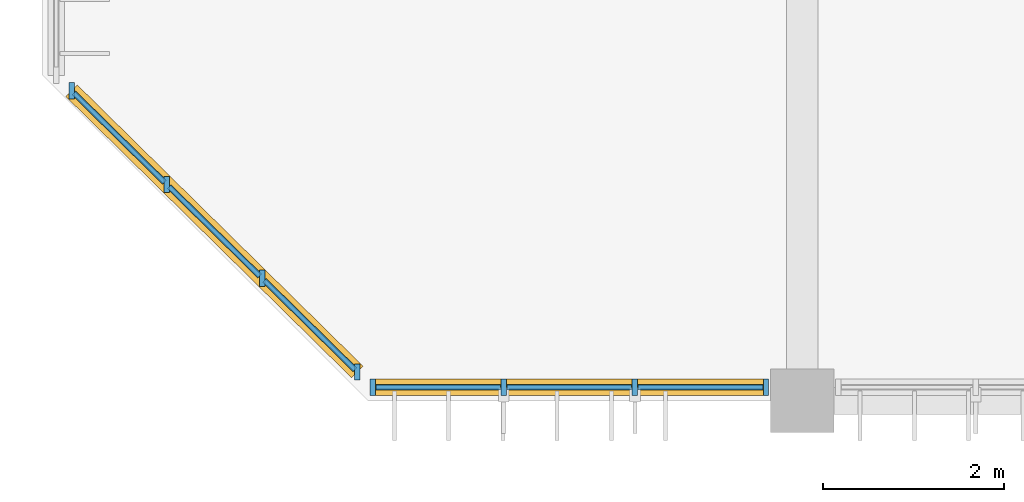
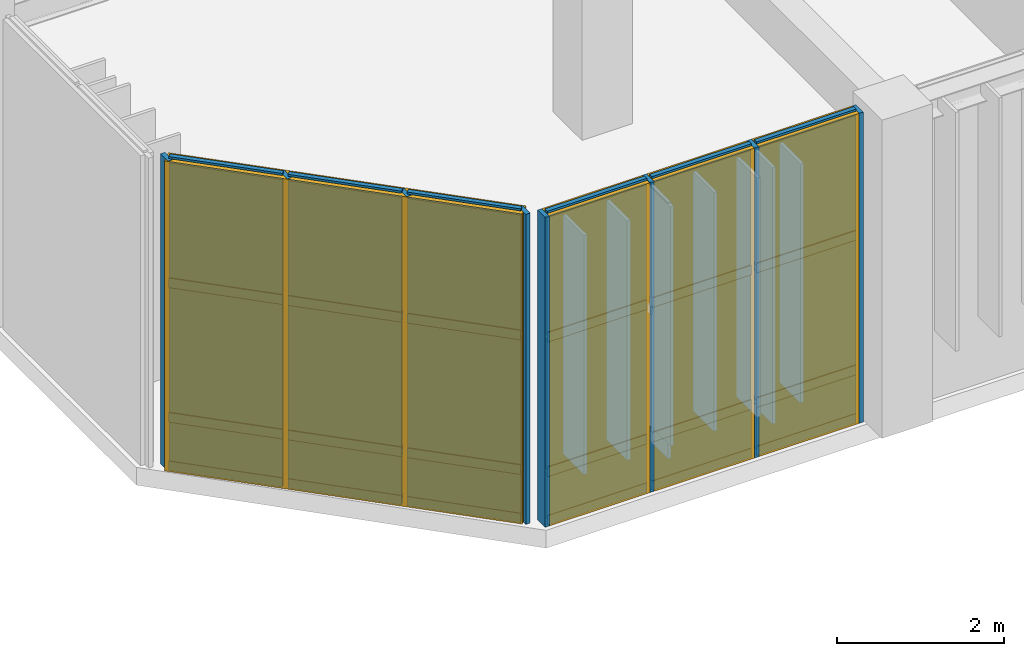
# One storey, part 61 of 122: 32 members, 18 plates, 2 curtain walls.
"""IFC4 building model written with IfcOpenShell, lengths in metres."""

from ifc_helpers import new_model, si_unit, direction, frame, frame_2d, origin, origin_2d, place, context, subcontext, project, spatial, rectangle, extrude, material, layer, layer_set, material_profile, profile_set, type_object, element, aggregate, save


model = new_model("IFC4")

# Units and contexts
model_context = context("Model", 3, precision=1e-05, world=origin(), true_north=direction((0.0, 1.0)))
body_context = subcontext(model_context, "Body", "Model", "MODEL_VIEW")
ifc_project = project(units=[si_unit("LENGTHUNIT", "METRE"), si_unit("AREAUNIT", "SQUARE_METRE"), si_unit("VOLUMEUNIT", "CUBIC_METRE"), si_unit("PLANEANGLEUNIT", "RADIAN"), si_unit("MASSUNIT", "GRAM", prefix="KILO")], contexts=[model_context])

# Member
ifc_material_1 = material(Name="Anodised Bronze Aluminium 6063-T6", Category="aluminium")
ifc_material_profile_1 = material_profile(ifc_material_1, rectangle(XDim=0.06005859375, YDim=0.179931640625, at=origin_2d()), Name="ALU MULLION 60x180")
ifc_profile_set_1 = profile_set([ifc_material_profile_1], Name="Anodised Bronze Aluminium 6063-T6")
member_type_1 = type_object("IfcMemberType", Name="Curtain-Wall Primary Mullion 60x180", PredefinedType="MULLION", material=ifc_profile_set_1)
site_placement = place(None, origin())
building_placement = place(site_placement, origin())
storey_placement = place(building_placement, origin())
member_1_placement = place(storey_placement, frame((6.050048828125, 37.550048828125, 0.0), z_axis=(0.0, 0.0, 1.0), x_axis=(1.0, 0.0, 0.0)))
member_1 = element("IfcMember", 1, at=member_1_placement, type_object=member_type_1, Name="Mullion CWM-01 CW-V6-S-L00-B1-M01", PredefinedType="MULLION", context=body_context, shape_type="SweptSolid", body=[
    extrude(rectangle(XDim=0.06005859375, YDim=0.179931640625, at=origin_2d()), origin(), (0.0, 0.0, 1.0), 4.5400390625),
])

member_2_placement = place(storey_placement, frame((7.5, 37.550048828125, 0.0), z_axis=(0.0, 0.0, 1.0), x_axis=(1.0, 0.0, 0.0)))
member_2 = element("IfcMember", 2, at=member_2_placement, type_object=member_type_1, Name="Mullion CWM-01 CW-V6-S-L00-B1-M02", PredefinedType="MULLION", context=body_context, shape_type="SweptSolid", body=[
    extrude(rectangle(XDim=0.06005859375, YDim=0.179931640625, at=origin_2d()), origin(), (0.0, 0.0, 1.0), 4.5400390625),
])

member_3_placement = place(storey_placement, frame((8.949951171875, 37.550048828125, 0.0), z_axis=(0.0, 0.0, 1.0), x_axis=(1.0, 0.0, 0.0)))
member_3 = element("IfcMember", 3, at=member_3_placement, type_object=member_type_1, Name="Mullion CWM-01 CW-V6-S-L00-B1-M03", PredefinedType="MULLION", context=body_context, shape_type="SweptSolid", body=[
    extrude(rectangle(XDim=0.06005859375, YDim=0.179931640625, at=origin_2d()), origin(), (0.0, 0.0, 1.0), 4.5400390625),
])

member_4_placement = place(storey_placement, frame((10.39990234375, 37.550048828125, 0.0), z_axis=(0.0, 0.0, 1.0), x_axis=(1.0, 0.0, 0.0)))
member_4 = element("IfcMember", 4, at=member_4_placement, type_object=member_type_1, Name="Mullion CWM-01 CW-V6-S-L00-B1-M04", PredefinedType="MULLION", context=body_context, shape_type="SweptSolid", body=[
    extrude(rectangle(XDim=0.06005859375, YDim=0.179931640625, at=origin_2d()), origin(), (0.0, 0.0, 1.0), 4.5400390625),
])

member_5_placement = place(storey_placement, frame((2.719970703125, 40.830078125, 0.0), z_axis=(0.0, 0.0, 1.0), x_axis=(1.0, 0.0, 0.0)))
member_5 = element("IfcMember", 5, at=member_5_placement, type_object=member_type_1, Name="Mullion CWM-01 CW-V6-SWCH-L00-M01", PredefinedType="MULLION", context=body_context, shape_type="SweptSolid", body=[
    extrude(rectangle(XDim=0.06005859375, YDim=0.179931640625, at=origin_2d()), origin(), (0.0, 0.0, 1.0), 4.5400390625),
])

member_6_placement = place(storey_placement, frame((3.773193359375, 39.793212890625, 0.0), z_axis=(0.0, 0.0, 1.0), x_axis=(1.0, 0.0, 0.0)))
member_6 = element("IfcMember", 6, at=member_6_placement, type_object=member_type_1, Name="Mullion CWM-01 CW-V6-SWCH-L00-M02", PredefinedType="MULLION", context=body_context, shape_type="SweptSolid", body=[
    extrude(rectangle(XDim=0.06005859375, YDim=0.179931640625, at=origin_2d()), origin(), (0.0, 0.0, 1.0), 4.5400390625),
])

member_7_placement = place(storey_placement, frame((4.82666015625, 38.756591796875, 0.0), z_axis=(0.0, 0.0, 1.0), x_axis=(1.0, 0.0, 0.0)))
member_7 = element("IfcMember", 7, at=member_7_placement, type_object=member_type_1, Name="Mullion CWM-01 CW-V6-SWCH-L00-M03", PredefinedType="MULLION", context=body_context, shape_type="SweptSolid", body=[
    extrude(rectangle(XDim=0.06005859375, YDim=0.179931640625, at=origin_2d()), origin(), (0.0, 0.0, 1.0), 4.5400390625),
])

member_8_placement = place(storey_placement, frame((5.8798828125, 37.719970703125, 0.0), z_axis=(0.0, 0.0, 1.0), x_axis=(1.0, 0.0, 0.0)))
member_8 = element("IfcMember", 8, at=member_8_placement, type_object=member_type_1, Name="Mullion CWM-01 CW-V6-SWCH-L00-M04", PredefinedType="MULLION", context=body_context, shape_type="SweptSolid", body=[
    extrude(rectangle(XDim=0.06005859375, YDim=0.179931640625, at=origin_2d()), origin(), (0.0, 0.0, 1.0), 4.5400390625),
])

ifc_material_profile_2 = material_profile(ifc_material_1, rectangle(XDim=0.06005859375, YDim=0.139892578125, at=origin_2d()), Name="ALU TRANSOM 60x140")
ifc_profile_set_2 = profile_set([ifc_material_profile_2], Name="Anodised Bronze Aluminium 6063-T6")
member_type_2 = type_object("IfcMemberType", Name="Curtain-Wall Transom 60x140", PredefinedType="USERDEFINED", material=ifc_profile_set_2)
member_9_placement = place(storey_placement, frame((6.0849609375, 37.550048828125, 0.0400390625), z_axis=(1.0, 0.0, 0.0), x_axis=(0.0, 1.0, 0.0)))
member_9 = element("IfcMember", 9, at=member_9_placement, type_object=member_type_2, Name="Transom CWT-01 CW-V6-S-L00-B1-T01.1", ObjectType="TRANSOM", PredefinedType="USERDEFINED", context=body_context, shape_type="SweptSolid", body=[
    extrude(rectangle(XDim=0.06005859375, YDim=0.139892578125, at=origin_2d()), origin(), (0.0, 0.0, 1.0), 1.380126953125),
])

member_10_placement = place(storey_placement, frame((6.0849609375, 37.550048828125, 0.75), z_axis=(1.0, 0.0, 0.0), x_axis=(0.0, 1.0, 0.0)))
member_10 = element("IfcMember", 10, at=member_10_placement, type_object=member_type_2, Name="Transom CWT-01 CW-V6-S-L00-B1-T01.2", ObjectType="TRANSOM", PredefinedType="USERDEFINED", context=body_context, shape_type="SweptSolid", body=[
    extrude(rectangle(XDim=0.06005859375, YDim=0.139892578125, at=origin_2d()), origin(), (0.0, 0.0, 1.0), 1.380126953125),
])

member_11_placement = place(storey_placement, frame((6.0849609375, 37.550048828125, 2.720703125), z_axis=(1.0, 0.0, 0.0), x_axis=(0.0, 1.0, 0.0)))
member_11 = element("IfcMember", 11, at=member_11_placement, type_object=member_type_2, Name="Transom CWT-01 CW-V6-S-L00-B1-T01.3", ObjectType="TRANSOM", PredefinedType="USERDEFINED", context=body_context, shape_type="SweptSolid", body=[
    extrude(rectangle(XDim=0.06005859375, YDim=0.139892578125, at=origin_2d()), origin(), (0.0, 0.0, 1.0), 1.380126953125),
])

member_12_placement = place(storey_placement, frame((6.0849609375, 37.550048828125, 4.5), z_axis=(1.0, 0.0, 0.0), x_axis=(0.0, 1.0, 0.0)))
member_12 = element("IfcMember", 12, at=member_12_placement, type_object=member_type_2, Name="Transom CWT-01 CW-V6-S-L00-B1-T01.4", ObjectType="TRANSOM", PredefinedType="USERDEFINED", context=body_context, shape_type="SweptSolid", body=[
    extrude(rectangle(XDim=0.06005859375, YDim=0.139892578125, at=origin_2d()), origin(), (0.0, 0.0, 1.0), 1.380126953125),
])

member_13_placement = place(storey_placement, frame((7.534912109375, 37.550048828125, 0.0400390625), z_axis=(1.0, 0.0, 0.0), x_axis=(0.0, 1.0, 0.0)))
member_13 = element("IfcMember", 13, at=member_13_placement, type_object=member_type_2, Name="Transom CWT-01 CW-V6-S-L00-B1-T02.1", ObjectType="TRANSOM", PredefinedType="USERDEFINED", context=body_context, shape_type="SweptSolid", body=[
    extrude(rectangle(XDim=0.06005859375, YDim=0.139892578125, at=origin_2d()), origin(), (0.0, 0.0, 1.0), 1.380126953125),
])

member_14_placement = place(storey_placement, frame((7.534912109375, 37.550048828125, 0.75), z_axis=(1.0, 0.0, 0.0), x_axis=(0.0, 1.0, 0.0)))
member_14 = element("IfcMember", 14, at=member_14_placement, type_object=member_type_2, Name="Transom CWT-01 CW-V6-S-L00-B1-T02.2", ObjectType="TRANSOM", PredefinedType="USERDEFINED", context=body_context, shape_type="SweptSolid", body=[
    extrude(rectangle(XDim=0.06005859375, YDim=0.139892578125, at=origin_2d()), origin(), (0.0, 0.0, 1.0), 1.380126953125),
])

member_15_placement = place(storey_placement, frame((7.534912109375, 37.550048828125, 2.720703125), z_axis=(1.0, 0.0, 0.0), x_axis=(0.0, 1.0, 0.0)))
member_15 = element("IfcMember", 15, at=member_15_placement, type_object=member_type_2, Name="Transom CWT-01 CW-V6-S-L00-B1-T02.3", ObjectType="TRANSOM", PredefinedType="USERDEFINED", context=body_context, shape_type="SweptSolid", body=[
    extrude(rectangle(XDim=0.06005859375, YDim=0.139892578125, at=origin_2d()), origin(), (0.0, 0.0, 1.0), 1.380126953125),
])

member_16_placement = place(storey_placement, frame((7.534912109375, 37.550048828125, 4.5), z_axis=(1.0, 0.0, 0.0), x_axis=(0.0, 1.0, 0.0)))
member_16 = element("IfcMember", 16, at=member_16_placement, type_object=member_type_2, Name="Transom CWT-01 CW-V6-S-L00-B1-T02.4", ObjectType="TRANSOM", PredefinedType="USERDEFINED", context=body_context, shape_type="SweptSolid", body=[
    extrude(rectangle(XDim=0.06005859375, YDim=0.139892578125, at=origin_2d()), origin(), (0.0, 0.0, 1.0), 1.380126953125),
])

member_17_placement = place(storey_placement, frame((8.985107421875, 37.550048828125, 0.0400390625), z_axis=(1.0, 0.0, 0.0), x_axis=(0.0, 1.0, 0.0)))
member_17 = element("IfcMember", 17, at=member_17_placement, type_object=member_type_2, Name="Transom CWT-01 CW-V6-S-L00-B1-T03.1", ObjectType="TRANSOM", PredefinedType="USERDEFINED", context=body_context, shape_type="SweptSolid", body=[
    extrude(rectangle(XDim=0.06005859375, YDim=0.139892578125, at=origin_2d()), origin(), (0.0, 0.0, 1.0), 1.3798828125),
])

member_18_placement = place(storey_placement, frame((8.985107421875, 37.550048828125, 0.75), z_axis=(1.0, 0.0, 0.0), x_axis=(0.0, 1.0, 0.0)))
member_18 = element("IfcMember", 18, at=member_18_placement, type_object=member_type_2, Name="Transom CWT-01 CW-V6-S-L00-B1-T03.2", ObjectType="TRANSOM", PredefinedType="USERDEFINED", context=body_context, shape_type="SweptSolid", body=[
    extrude(rectangle(XDim=0.06005859375, YDim=0.139892578125, at=origin_2d()), origin(), (0.0, 0.0, 1.0), 1.3798828125),
])

member_19_placement = place(storey_placement, frame((8.985107421875, 37.550048828125, 2.720703125), z_axis=(1.0, 0.0, 0.0), x_axis=(0.0, 1.0, 0.0)))
member_19 = element("IfcMember", 19, at=member_19_placement, type_object=member_type_2, Name="Transom CWT-01 CW-V6-S-L00-B1-T03.3", ObjectType="TRANSOM", PredefinedType="USERDEFINED", context=body_context, shape_type="SweptSolid", body=[
    extrude(rectangle(XDim=0.06005859375, YDim=0.139892578125, at=origin_2d()), origin(), (0.0, 0.0, 1.0), 1.3798828125),
])

member_20_placement = place(storey_placement, frame((8.985107421875, 37.550048828125, 4.5), z_axis=(1.0, 0.0, 0.0), x_axis=(0.0, 1.0, 0.0)))
member_20 = element("IfcMember", 20, at=member_20_placement, type_object=member_type_2, Name="Transom CWT-01 CW-V6-S-L00-B1-T03.4", ObjectType="TRANSOM", PredefinedType="USERDEFINED", context=body_context, shape_type="SweptSolid", body=[
    extrude(rectangle(XDim=0.06005859375, YDim=0.139892578125, at=origin_2d()), origin(), (0.0, 0.0, 1.0), 1.3798828125),
])

member_21_placement = place(storey_placement, frame((2.744873046875, 40.805419921875, 0.0400390625), z_axis=(0.712720186233, -0.701448455794, 0.0), x_axis=(0.701448455794, 0.712720186233, 0.0)))
member_21 = element("IfcMember", 21, at=member_21_placement, type_object=member_type_2, Name="Transom CWT-01 CW-V6-SWCH-L00-T01.1", ObjectType="TRANSOM", PredefinedType="USERDEFINED", context=body_context, shape_type="SweptSolid", body=[
    extrude(rectangle(XDim=0.06005859375, YDim=0.139892578125, at=origin_2d()), origin(), (0.0, 0.0, 1.0), 1.407958984375),
])

member_22_placement = place(storey_placement, frame((2.744873046875, 40.805419921875, 0.75), z_axis=(0.712720186233, -0.701448455794, 0.0), x_axis=(0.701448455794, 0.712720186233, 0.0)))
member_22 = element("IfcMember", 22, at=member_22_placement, type_object=member_type_2, Name="Transom CWT-01 CW-V6-SWCH-L00-T01.2", ObjectType="TRANSOM", PredefinedType="USERDEFINED", context=body_context, shape_type="SweptSolid", body=[
    extrude(rectangle(XDim=0.06005859375, YDim=0.139892578125, at=origin_2d()), origin(), (0.0, 0.0, 1.0), 1.407958984375),
])

member_23_placement = place(storey_placement, frame((2.744873046875, 40.805419921875, 2.720703125), z_axis=(0.712720186233, -0.701448455794, 0.0), x_axis=(0.701448455794, 0.712720186233, 0.0)))
member_23 = element("IfcMember", 23, at=member_23_placement, type_object=member_type_2, Name="Transom CWT-01 CW-V6-SWCH-L00-T01.3", ObjectType="TRANSOM", PredefinedType="USERDEFINED", context=body_context, shape_type="SweptSolid", body=[
    extrude(rectangle(XDim=0.06005859375, YDim=0.139892578125, at=origin_2d()), origin(), (0.0, 0.0, 1.0), 1.407958984375),
])

member_24_placement = place(storey_placement, frame((2.744873046875, 40.805419921875, 4.5), z_axis=(0.712720186233, -0.701448455794, 0.0), x_axis=(0.701448455794, 0.712720186233, 0.0)))
member_24 = element("IfcMember", 24, at=member_24_placement, type_object=member_type_2, Name="Transom CWT-01 CW-V6-SWCH-L00-T01.4", ObjectType="TRANSOM", PredefinedType="USERDEFINED", context=body_context, shape_type="SweptSolid", body=[
    extrude(rectangle(XDim=0.06005859375, YDim=0.139892578125, at=origin_2d()), origin(), (0.0, 0.0, 1.0), 1.407958984375),
])

member_25_placement = place(storey_placement, frame((3.79833984375, 39.768798828125, 0.0400390625), z_axis=(0.712720186233, -0.701448455794, 0.0), x_axis=(0.701448455794, 0.712720186233, 0.0)))
member_25 = element("IfcMember", 25, at=member_25_placement, type_object=member_type_2, Name="Transom CWT-01 CW-V6-SWCH-L00-T02.1", ObjectType="TRANSOM", PredefinedType="USERDEFINED", context=body_context, shape_type="SweptSolid", body=[
    extrude(rectangle(XDim=0.06005859375, YDim=0.139892578125, at=origin_2d()), origin(), (0.0, 0.0, 1.0), 1.407958984375),
])

member_26_placement = place(storey_placement, frame((3.79833984375, 39.768798828125, 0.75), z_axis=(0.712720186233, -0.701448455794, 0.0), x_axis=(0.701448455794, 0.712720186233, 0.0)))
member_26 = element("IfcMember", 26, at=member_26_placement, type_object=member_type_2, Name="Transom CWT-01 CW-V6-SWCH-L00-T02.2", ObjectType="TRANSOM", PredefinedType="USERDEFINED", context=body_context, shape_type="SweptSolid", body=[
    extrude(rectangle(XDim=0.06005859375, YDim=0.139892578125, at=origin_2d()), origin(), (0.0, 0.0, 1.0), 1.407958984375),
])

member_27_placement = place(storey_placement, frame((3.79833984375, 39.768798828125, 2.720703125), z_axis=(0.712720186233, -0.701448455794, 0.0), x_axis=(0.701448455794, 0.712720186233, 0.0)))
member_27 = element("IfcMember", 27, at=member_27_placement, type_object=member_type_2, Name="Transom CWT-01 CW-V6-SWCH-L00-T02.3", ObjectType="TRANSOM", PredefinedType="USERDEFINED", context=body_context, shape_type="SweptSolid", body=[
    extrude(rectangle(XDim=0.06005859375, YDim=0.139892578125, at=origin_2d()), origin(), (0.0, 0.0, 1.0), 1.407958984375),
])

member_28_placement = place(storey_placement, frame((3.79833984375, 39.768798828125, 4.5), z_axis=(0.712720186233, -0.701448455794, 0.0), x_axis=(0.701448455794, 0.712720186233, 0.0)))
member_28 = element("IfcMember", 28, at=member_28_placement, type_object=member_type_2, Name="Transom CWT-01 CW-V6-SWCH-L00-T02.4", ObjectType="TRANSOM", PredefinedType="USERDEFINED", context=body_context, shape_type="SweptSolid", body=[
    extrude(rectangle(XDim=0.06005859375, YDim=0.139892578125, at=origin_2d()), origin(), (0.0, 0.0, 1.0), 1.407958984375),
])

member_29_placement = place(storey_placement, frame((4.8515625, 38.732177734375, 0.0400390625), z_axis=(0.712720186233, -0.701448455794, 0.0), x_axis=(0.701448455794, 0.712720186233, 0.0)))
member_29 = element("IfcMember", 29, at=member_29_placement, type_object=member_type_2, Name="Transom CWT-01 CW-V6-SWCH-L00-T03.1", ObjectType="TRANSOM", PredefinedType="USERDEFINED", context=body_context, shape_type="SweptSolid", body=[
    extrude(rectangle(XDim=0.06005859375, YDim=0.139892578125, at=origin_2d()), origin(), (0.0, 0.0, 1.0), 1.407958984375),
])

member_30_placement = place(storey_placement, frame((4.8515625, 38.732177734375, 0.75), z_axis=(0.712720186233, -0.701448455794, 0.0), x_axis=(0.701448455794, 0.712720186233, 0.0)))
member_30 = element("IfcMember", 30, at=member_30_placement, type_object=member_type_2, Name="Transom CWT-01 CW-V6-SWCH-L00-T03.2", ObjectType="TRANSOM", PredefinedType="USERDEFINED", context=body_context, shape_type="SweptSolid", body=[
    extrude(rectangle(XDim=0.06005859375, YDim=0.139892578125, at=origin_2d()), origin(), (0.0, 0.0, 1.0), 1.407958984375),
])

member_31_placement = place(storey_placement, frame((4.8515625, 38.732177734375, 2.720703125), z_axis=(0.712720186233, -0.701448455794, 0.0), x_axis=(0.701448455794, 0.712720186233, 0.0)))
member_31 = element("IfcMember", 31, at=member_31_placement, type_object=member_type_2, Name="Transom CWT-01 CW-V6-SWCH-L00-T03.3", ObjectType="TRANSOM", PredefinedType="USERDEFINED", context=body_context, shape_type="SweptSolid", body=[
    extrude(rectangle(XDim=0.06005859375, YDim=0.139892578125, at=origin_2d()), origin(), (0.0, 0.0, 1.0), 1.407958984375),
])

member_32_placement = place(storey_placement, frame((4.8515625, 38.732177734375, 4.5), z_axis=(0.712720186233, -0.701448455794, 0.0), x_axis=(0.701448455794, 0.712720186233, 0.0)))
member_32 = element("IfcMember", 32, at=member_32_placement, type_object=member_type_2, Name="Transom CWT-01 CW-V6-SWCH-L00-T03.4", ObjectType="TRANSOM", PredefinedType="USERDEFINED", context=body_context, shape_type="SweptSolid", body=[
    extrude(rectangle(XDim=0.06005859375, YDim=0.139892578125, at=origin_2d()), origin(), (0.0, 0.0, 1.0), 1.407958984375),
])

# Plate
ifc_material_2 = material(Name="Insulated Bronze Aluminium Spandrel Panel", Category="aluminium")
ifc_layer_1 = layer(ifc_material_2, 0.050048828125, Name="Insulated Bronze Aluminium Spandrel Panel")
ifc_layer_set_1 = layer_set([ifc_layer_1], Name="Insulated Bronze Aluminium Spandrel Panel")
plate_type_1 = type_object("IfcPlateType", Name="Insulated Anodised Aluminium Spandrel Cassette 50", PredefinedType="CURTAIN_PANEL", material=ifc_layer_set_1)
plate_1_placement = place(storey_placement, frame((6.77490234375, 37.550048828125, 0.070068359375), z_axis=(0.0, 0.0, 1.0), x_axis=(1.0, 0.0, 0.0)))
plate_1 = element("IfcPlate", 33, at=plate_1_placement, type_object=plate_type_1, Name="Curtain Panel CWP-03 CW-V6-S-L00-B1-P01.1", PredefinedType="CURTAIN_PANEL", context=body_context, shape_type="SweptSolid", body=[
    extrude(rectangle(XDim=1.3798828125, YDim=0.050048828125, at=origin_2d()), origin(), (0.0, 0.0, 1.0), 0.64990234375),
])

plate_2_placement = place(storey_placement, frame((8.22509765625, 37.550048828125, 0.070068359375), z_axis=(0.0, 0.0, 1.0), x_axis=(1.0, 0.0, 0.0)))
plate_2 = element("IfcPlate", 34, at=plate_2_placement, type_object=plate_type_1, Name="Curtain Panel CWP-03 CW-V6-S-L00-B1-P02.1", PredefinedType="CURTAIN_PANEL", context=body_context, shape_type="SweptSolid", body=[
    extrude(rectangle(XDim=1.3798828125, YDim=0.050048828125, at=origin_2d()), origin(), (0.0, 0.0, 1.0), 0.64990234375),
])

plate_3_placement = place(storey_placement, frame((9.675048828125, 37.550048828125, 0.070068359375), z_axis=(0.0, 0.0, 1.0), x_axis=(1.0, 0.0, 0.0)))
plate_3 = element("IfcPlate", 35, at=plate_3_placement, type_object=plate_type_1, Name="Curtain Panel CWP-03 CW-V6-S-L00-B1-P03.1", PredefinedType="CURTAIN_PANEL", context=body_context, shape_type="SweptSolid", body=[
    extrude(rectangle(XDim=1.3798828125, YDim=0.050048828125, at=origin_2d()), origin(), (0.0, 0.0, 1.0), 0.64990234375),
])

plate_4_placement = place(storey_placement, frame((3.24658203125, 40.311767578125, 0.070068359375), z_axis=(0.0, 0.0, 1.0), x_axis=(0.712722997586, -0.701445599253, 0.0)))
plate_4 = element("IfcPlate", 36, at=plate_4_placement, type_object=plate_type_1, Name="Curtain Panel CWP-03 CW-V6-SWCH-L00-P01.1", PredefinedType="CURTAIN_PANEL", context=body_context, shape_type="SweptSolid", body=[
    extrude(rectangle(XDim=1.407958984375, YDim=0.050048828125, at=origin_2d()), origin(), (0.0, 0.0, 1.0), 0.64990234375),
])

plate_5_placement = place(storey_placement, frame((4.300048828125, 39.27490234375, 0.070068359375), z_axis=(0.0, 0.0, 1.0), x_axis=(0.712722997586, -0.701445599253, 0.0)))
plate_5 = element("IfcPlate", 37, at=plate_5_placement, type_object=plate_type_1, Name="Curtain Panel CWP-03 CW-V6-SWCH-L00-P02.1", PredefinedType="CURTAIN_PANEL", context=body_context, shape_type="SweptSolid", body=[
    extrude(rectangle(XDim=1.407958984375, YDim=0.050048828125, at=origin_2d()), origin(), (0.0, 0.0, 1.0), 0.64990234375),
])

plate_6_placement = place(storey_placement, frame((5.353271484375, 38.23828125, 0.070068359375), z_axis=(0.0, 0.0, 1.0), x_axis=(0.712722997586, -0.701445599253, 0.0)))
plate_6 = element("IfcPlate", 38, at=plate_6_placement, type_object=plate_type_1, Name="Curtain Panel CWP-03 CW-V6-SWCH-L00-P03.1", PredefinedType="CURTAIN_PANEL", context=body_context, shape_type="SweptSolid", body=[
    extrude(rectangle(XDim=1.407958984375, YDim=0.050048828125, at=origin_2d()), origin(), (0.0, 0.0, 1.0), 0.64990234375),
])

ifc_material_3 = material(Name="Solar-Control Tempered Double Glazing", Category="glass")
ifc_layer_2 = layer(ifc_material_3, 0.0380859375, Name="Solar-Control Tempered Double Glazing")
ifc_layer_set_2 = layer_set([ifc_layer_2], Name="Solar-Control Tempered Double Glazing")
plate_type_2 = type_object("IfcPlateType", Name="Solar-Control Vision Glazing Unit 38", PredefinedType="CURTAIN_PANEL", material=ifc_layer_set_2)
plate_7_placement = place(storey_placement, frame((6.77490234375, 37.550048828125, 0.77978515625), z_axis=(0.0, 0.0, 1.0), x_axis=(1.0, 0.0, 0.0)))
plate_7 = element("IfcPlate", 39, at=plate_7_placement, type_object=plate_type_2, Name="Curtain Panel CWP-02 CW-V6-S-L00-B1-P01.2", PredefinedType="CURTAIN_PANEL", context=body_context, shape_type="SweptSolid", body=[
    extrude(rectangle(XDim=1.3798828125, YDim=0.0380859375, at=origin_2d()), origin(), (0.0, 0.0, 1.0), 1.910888671875),
])

plate_8_placement = place(storey_placement, frame((6.77490234375, 37.550048828125, 2.750732421875), z_axis=(0.0, 0.0, 1.0), x_axis=(1.0, 0.0, 0.0)))
plate_8 = element("IfcPlate", 40, at=plate_8_placement, type_object=plate_type_2, Name="Curtain Panel CWP-02 CW-V6-S-L00-B1-P01.3", PredefinedType="CURTAIN_PANEL", context=body_context, shape_type="SweptSolid", body=[
    extrude(rectangle(XDim=1.3798828125, YDim=0.0380859375, at=origin_2d()), origin(), (0.0, 0.0, 1.0), 1.71923828125),
])

plate_9_placement = place(storey_placement, frame((8.22509765625, 37.550048828125, 0.77978515625), z_axis=(0.0, 0.0, 1.0), x_axis=(1.0, 0.0, 0.0)))
plate_9 = element("IfcPlate", 41, at=plate_9_placement, type_object=plate_type_2, Name="Curtain Panel CWP-02 CW-V6-S-L00-B1-P02.2", PredefinedType="CURTAIN_PANEL", context=body_context, shape_type="SweptSolid", body=[
    extrude(rectangle(XDim=1.3798828125, YDim=0.0380859375, at=origin_2d()), origin(), (0.0, 0.0, 1.0), 1.910888671875),
])

plate_10_placement = place(storey_placement, frame((8.22509765625, 37.550048828125, 2.750732421875), z_axis=(0.0, 0.0, 1.0), x_axis=(1.0, 0.0, 0.0)))
plate_10 = element("IfcPlate", 42, at=plate_10_placement, type_object=plate_type_2, Name="Curtain Panel CWP-02 CW-V6-S-L00-B1-P02.3", PredefinedType="CURTAIN_PANEL", context=body_context, shape_type="SweptSolid", body=[
    extrude(rectangle(XDim=1.3798828125, YDim=0.0380859375, at=origin_2d()), origin(), (0.0, 0.0, 1.0), 1.71923828125),
])

plate_11_placement = place(storey_placement, frame((9.675048828125, 37.550048828125, 0.77978515625), z_axis=(0.0, 0.0, 1.0), x_axis=(1.0, 0.0, 0.0)))
plate_11 = element("IfcPlate", 43, at=plate_11_placement, type_object=plate_type_2, Name="Curtain Panel CWP-02 CW-V6-S-L00-B1-P03.2", PredefinedType="CURTAIN_PANEL", context=body_context, shape_type="SweptSolid", body=[
    extrude(rectangle(XDim=1.3798828125, YDim=0.0380859375, at=origin_2d()), origin(), (0.0, 0.0, 1.0), 1.910888671875),
])

plate_12_placement = place(storey_placement, frame((9.675048828125, 37.550048828125, 2.750732421875), z_axis=(0.0, 0.0, 1.0), x_axis=(1.0, 0.0, 0.0)))
plate_12 = element("IfcPlate", 44, at=plate_12_placement, type_object=plate_type_2, Name="Curtain Panel CWP-02 CW-V6-S-L00-B1-P03.3", PredefinedType="CURTAIN_PANEL", context=body_context, shape_type="SweptSolid", body=[
    extrude(rectangle(XDim=1.3798828125, YDim=0.0380859375, at=origin_2d()), origin(), (0.0, 0.0, 1.0), 1.71923828125),
])

plate_13_placement = place(storey_placement, frame((3.24658203125, 40.311767578125, 0.77978515625), z_axis=(0.0, 0.0, 1.0), x_axis=(0.712722997586, -0.701445599253, 0.0)))
plate_13 = element("IfcPlate", 45, at=plate_13_placement, type_object=plate_type_2, Name="Curtain Panel CWP-02 CW-V6-SWCH-L00-P01.2", PredefinedType="CURTAIN_PANEL", context=body_context, shape_type="SweptSolid", body=[
    extrude(rectangle(XDim=1.407958984375, YDim=0.0380859375, at=origin_2d()), origin(), (0.0, 0.0, 1.0), 1.910888671875),
])

plate_14_placement = place(storey_placement, frame((3.24658203125, 40.311767578125, 2.750732421875), z_axis=(0.0, 0.0, 1.0), x_axis=(0.712722997586, -0.701445599253, 0.0)))
plate_14 = element("IfcPlate", 46, at=plate_14_placement, type_object=plate_type_2, Name="Curtain Panel CWP-02 CW-V6-SWCH-L00-P01.3", PredefinedType="CURTAIN_PANEL", context=body_context, shape_type="SweptSolid", body=[
    extrude(rectangle(XDim=1.407958984375, YDim=0.0380859375, at=origin_2d()), origin(), (0.0, 0.0, 1.0), 1.71923828125),
])

plate_15_placement = place(storey_placement, frame((4.300048828125, 39.27490234375, 0.77978515625), z_axis=(0.0, 0.0, 1.0), x_axis=(0.712722997586, -0.701445599253, 0.0)))
plate_15 = element("IfcPlate", 47, at=plate_15_placement, type_object=plate_type_2, Name="Curtain Panel CWP-02 CW-V6-SWCH-L00-P02.2", PredefinedType="CURTAIN_PANEL", context=body_context, shape_type="SweptSolid", body=[
    extrude(rectangle(XDim=1.407958984375, YDim=0.0380859375, at=origin_2d()), origin(), (0.0, 0.0, 1.0), 1.910888671875),
])

plate_16_placement = place(storey_placement, frame((4.300048828125, 39.27490234375, 2.750732421875), z_axis=(0.0, 0.0, 1.0), x_axis=(0.712722997586, -0.701445599253, 0.0)))
plate_16 = element("IfcPlate", 48, at=plate_16_placement, type_object=plate_type_2, Name="Curtain Panel CWP-02 CW-V6-SWCH-L00-P02.3", PredefinedType="CURTAIN_PANEL", context=body_context, shape_type="SweptSolid", body=[
    extrude(rectangle(XDim=1.407958984375, YDim=0.0380859375, at=origin_2d()), origin(), (0.0, 0.0, 1.0), 1.71923828125),
])

plate_17_placement = place(storey_placement, frame((5.353271484375, 38.23828125, 0.77978515625), z_axis=(0.0, 0.0, 1.0), x_axis=(0.712722997586, -0.701445599253, 0.0)))
plate_17 = element("IfcPlate", 49, at=plate_17_placement, type_object=plate_type_2, Name="Curtain Panel CWP-02 CW-V6-SWCH-L00-P03.2", PredefinedType="CURTAIN_PANEL", context=body_context, shape_type="SweptSolid", body=[
    extrude(rectangle(XDim=1.407958984375, YDim=0.0380859375, at=origin_2d()), origin(), (0.0, 0.0, 1.0), 1.910888671875),
])

plate_18_placement = place(storey_placement, frame((5.353271484375, 38.23828125, 2.750732421875), z_axis=(0.0, 0.0, 1.0), x_axis=(0.712722997586, -0.701445599253, 0.0)))
plate_18 = element("IfcPlate", 50, at=plate_18_placement, type_object=plate_type_2, Name="Curtain Panel CWP-02 CW-V6-SWCH-L00-P03.3", PredefinedType="CURTAIN_PANEL", context=body_context, shape_type="SweptSolid", body=[
    extrude(rectangle(XDim=1.407958984375, YDim=0.0380859375, at=origin_2d()), origin(), (0.0, 0.0, 1.0), 1.71923828125),
])

# Site, building, storey
site = spatial("IfcSite", under=ifc_project, at=site_placement, CompositionType="ELEMENT")
building = spatial("IfcBuilding", under=site, at=building_placement, Name="Tazoul Stagehouse", CompositionType="ELEMENT")
storey = spatial("IfcBuildingStorey", under=building, at=storey_placement, Name="L00", CompositionType="ELEMENT", Elevation=0.0)

# Curtain wall
curtain_wall_type_1 = type_object("IfcCurtainWallType", Name="Crescent Double-Skin Acoustic Curtain Wall", PredefinedType="NOTDEFINED", material=ifc_material_1)
curtain_wall_1_placement = place(storey_placement, frame((2.719970703125, 40.830078125, 0.0), z_axis=(0.0, 0.0, 1.0), x_axis=(0.712701063165, -0.701467885626, 0.0)))
curtain_wall_1 = element("IfcCurtainWall", 51, at=curtain_wall_1_placement, inside=storey, type_object=curtain_wall_type_1, Name="L00 Curtain Wall CW-01 (CW-V6-SWCH-L00)", PredefinedType="NOTDEFINED", context=body_context, shape_type="SweptSolid", body=[
    extrude(rectangle(XDim=4.43359375, YDim=0.179931640625, at=frame_2d((2.216796875, 0.0))), origin(), (0.0, 0.0, 1.0), 4.5400390625),
])

aggregate(curtain_wall_1, [member_5, member_6, member_7, member_8, member_21, member_22, member_23, member_24, plate_4, plate_13, plate_14, member_25, member_26, member_27, member_28, plate_5, plate_15, plate_16, member_29, member_30, member_31, member_32, plate_6, plate_17, plate_18])

curtain_wall_type_2 = type_object("IfcCurtainWallType", Name="Foyer Clear Solar-Control Curtain Wall", PredefinedType="NOTDEFINED", material=ifc_material_1)
curtain_wall_2_placement = place(storey_placement, frame((6.050048828125, 37.550048828125, 0.0), z_axis=(0.0, 0.0, 1.0), x_axis=(1.0, 0.0, 0.0)))
curtain_wall_2 = element("IfcCurtainWall", 52, at=curtain_wall_2_placement, inside=storey, type_object=curtain_wall_type_2, Name="L00 Curtain Wall CW-02 (CW-V6-S-L00-B1)", PredefinedType="NOTDEFINED", context=body_context, shape_type="SweptSolid", body=[
    extrude(rectangle(XDim=4.349853515625, YDim=0.179931640625, at=frame_2d((2.1748046875, 0.0))), origin(), (0.0, 0.0, 1.0), 4.5400390625),
])

aggregate(curtain_wall_2, [member_1, member_2, member_3, member_4, member_9, member_10, member_11, member_12, plate_1, plate_7, plate_8, member_13, member_14, member_15, member_16, plate_2, plate_9, plate_10, member_17, member_18, member_19, member_20, plate_3, plate_11, plate_12])

save(model, "model.ifc")
